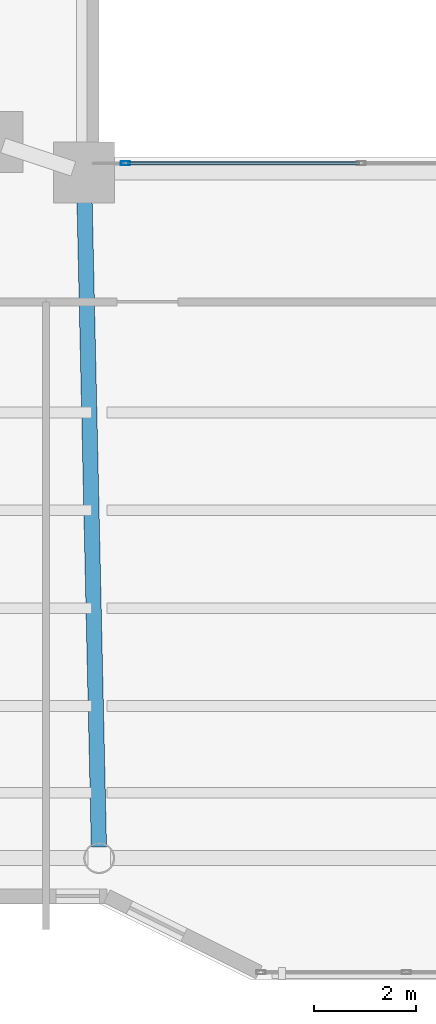
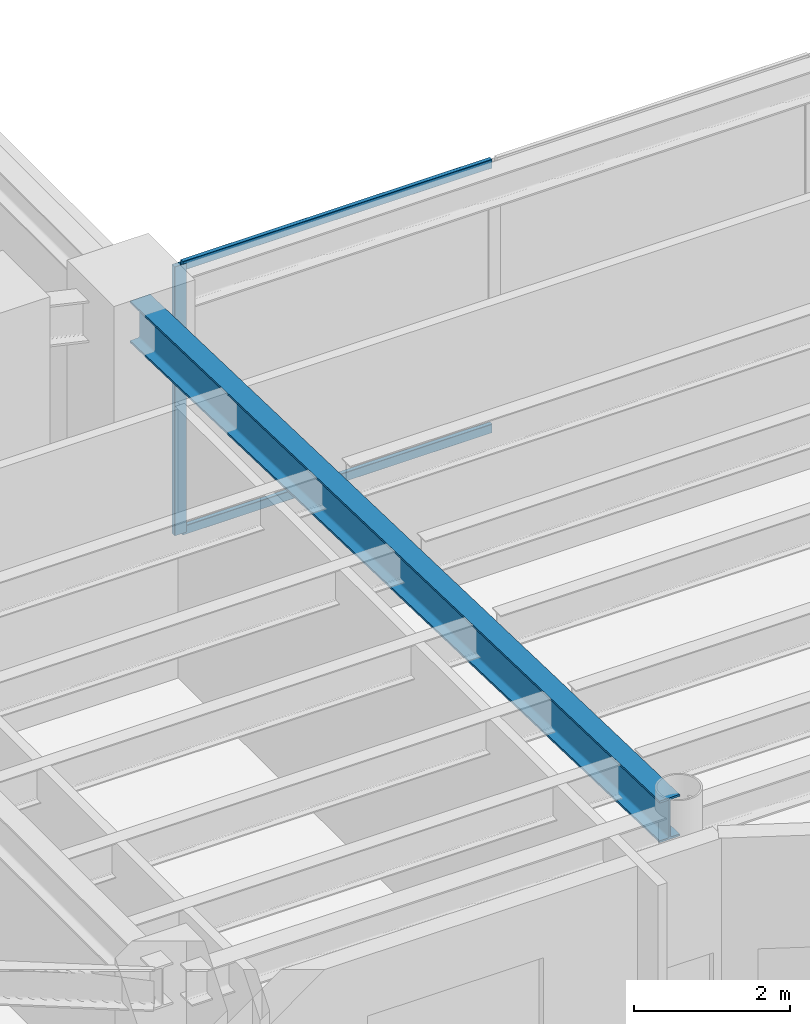
# One storey, part 6 of 37: 3 members, 1 beam, 1 element without a shape of its own.
"""IFC4 building model written with IfcOpenShell, lengths in metres."""

from ifc_helpers import new_model, si_unit, direction, frame, origin, origin_2d, place, context, subcontext, project, spatial, hollow_rectangle, i_section, extrude, material, layer, layer_set, material_profile, profile_set, type_object, element, aggregate, save


model = new_model("IFC4")

# Units and contexts
model_context = context("Model", 3, precision=1e-05, world=origin(), true_north=direction((0.0, 1.0)))
body_context = subcontext(model_context, "Body", "Model", "MODEL_VIEW")
ifc_project = project(units=[si_unit("LENGTHUNIT", "METRE"), si_unit("AREAUNIT", "SQUARE_METRE"), si_unit("VOLUMEUNIT", "CUBIC_METRE"), si_unit("PLANEANGLEUNIT", "RADIAN"), si_unit("MASSUNIT", "GRAM", prefix="KILO")], contexts=[model_context])

# Site, building, storey
site_placement = place(None, origin())
site = spatial("IfcSite", under=ifc_project, at=site_placement, CompositionType="ELEMENT")
building_placement = place(site_placement, origin())
building = spatial("IfcBuilding", under=site, at=building_placement, Name="Tarnavaz Court Tower", CompositionType="ELEMENT")
storey_placement = place(building_placement, frame((0.0, 0.0, 118.5)))
storey = spatial("IfcBuildingStorey", under=building, at=storey_placement, Name="L32", CompositionType="ELEMENT", Elevation=118.5)

# Beam
ifc_material_1 = material(Name="Steel S355", Category="steel")
ifc_material_profile_1 = material_profile(ifc_material_1, i_section(OverallWidth=0.300048828125, OverallDepth=0.64990234375, WebThickness=0.01611328125, FlangeThickness=0.031005859375, FilletRadius=0.027099609375, at=origin_2d()), Name="HEB 650")
ifc_profile_set_1 = profile_set([ifc_material_profile_1], Name="Steel S355")
beam_type = type_object("IfcBeamType", Name="BM-G-HEB650", PredefinedType="USERDEFINED", material=ifc_profile_set_1)
beam_placement = place(storey_placement, frame((-7.795166015625, -8.02001953125, 3.875), z_axis=(0.022221303469, -0.99975307635, 0.0), x_axis=(0.99975307635, 0.022221303469, 0.0)))
element("IfcBeam", 1, at=beam_placement, inside=storey, type_object=beam_type, Name="L32 Beam RG-06", ObjectType="GIRDER", PredefinedType="USERDEFINED", context=body_context, shape_type="SweptSolid", body=[
    extrude(i_section(OverallWidth=0.300048828125, OverallDepth=0.64990234375, WebThickness=0.01611328125, FlangeThickness=0.031005859375, FilletRadius=0.027099609375, at=origin_2d()), origin(), (0.0, 0.0, 1.0), 13.063232421875),
])

# Curtain wall, members
ifc_material_2 = material(Name="Anodised Aluminium 6063-T6 and Solar Low-E Glazing", Category="aluminium")
ifc_layer = layer(ifc_material_2, 0.139892578125)
ifc_layer_set = layer_set([ifc_layer], Name="Anodised Aluminium 6063-T6 and Solar Low-E Glazing")
curtain_wall_type = type_object("IfcCurtainWallType", Name="CW-SYS-04", PredefinedType="NOTDEFINED", material=ifc_layer_set)
curtain_wall_placement = place(storey_placement, origin())
curtain_wall = element("IfcCurtainWall", 2, at=curtain_wall_placement, inside=storey, type_object=curtain_wall_type, Name="L32 Badgir Courtyard Curtain Wall S", PredefinedType="NOTDEFINED")
ifc_material_3 = material(Name="Anodised Aluminium 6063-T6", Category="aluminium")
ifc_material_profile_2 = material_profile(ifc_material_3, hollow_rectangle(XDim=0.074951171875, YDim=0.179931640625, WallThickness=0.0048828125, InnerFilletRadius=0.0048828125, OuterFilletRadius=0.010009765625, at=origin_2d()), Name="ALU RHS 180X75X5")
ifc_profile_set_2 = profile_set([ifc_material_profile_2], Name="Anodised Aluminium 6063-T6")
member_type_1 = type_object("IfcMemberType", Name="CW-MUL-180", PredefinedType="MULLION", material=ifc_profile_set_2)
member_1_placement = place(storey_placement, frame((-6.982421875, -7.6201171875, 0.0), z_axis=(0.0, 0.0, 1.0), x_axis=(0.0, 1.0, 0.0)))
member_1 = element("IfcMember", 3, at=member_1_placement, type_object=member_type_1, Name="CW mullion 1", PredefinedType="MULLION", context=body_context, shape_type="SweptSolid", body=[
    extrude(hollow_rectangle(XDim=0.074951171875, YDim=0.179931640625, WallThickness=0.0048828125, InnerFilletRadius=0.0048828125, OuterFilletRadius=0.010009765625, at=origin_2d()), origin(), (0.0, 0.0, 1.0), 4.199951171875),
])
ifc_material_profile_3 = material_profile(ifc_material_3, hollow_rectangle(XDim=0.06494140625, YDim=0.139892578125, WallThickness=0.00390625, InnerFilletRadius=0.00390625, OuterFilletRadius=0.008056640625, at=origin_2d()), Name="ALU RHS 140X65X4")
ifc_profile_set_3 = profile_set([ifc_material_profile_3], Name="Anodised Aluminium 6063-T6")
member_type_2 = type_object("IfcMemberType", Name="CW-TRN-140", PredefinedType="USERDEFINED", material=ifc_profile_set_3)
member_2_placement = place(storey_placement, frame((-6.945068359375, -7.6201171875, 0.032470703125), z_axis=(1.0, 0.0, 0.0), x_axis=(0.0, 1.0, 0.0)))
member_2 = element("IfcMember", 4, at=member_2_placement, type_object=member_type_2, Name="CW transom 1.1", ObjectType="TRANSOM", PredefinedType="USERDEFINED", context=body_context, shape_type="SweptSolid", body=[
    extrude(hollow_rectangle(XDim=0.06494140625, YDim=0.139892578125, WallThickness=0.00390625, InnerFilletRadius=0.00390625, OuterFilletRadius=0.008056640625, at=origin_2d()), origin(), (0.0, 0.0, 1.0), 4.567626953125),
])
member_3_placement = place(storey_placement, frame((-6.945068359375, -7.6201171875, 4.16748046875), z_axis=(1.0, 0.0, 0.0), x_axis=(0.0, 1.0, 0.0)))
member_3 = element("IfcMember", 5, at=member_3_placement, type_object=member_type_2, Name="CW transom 1.2", ObjectType="TRANSOM", PredefinedType="USERDEFINED", context=body_context, shape_type="SweptSolid", body=[
    extrude(hollow_rectangle(XDim=0.06494140625, YDim=0.139892578125, WallThickness=0.00390625, InnerFilletRadius=0.00390625, OuterFilletRadius=0.008056640625, at=origin_2d()), origin(), (0.0, 0.0, 1.0), 4.567626953125),
])
aggregate(curtain_wall, [member_1, member_2, member_3])

save(model, "model.ifc")
